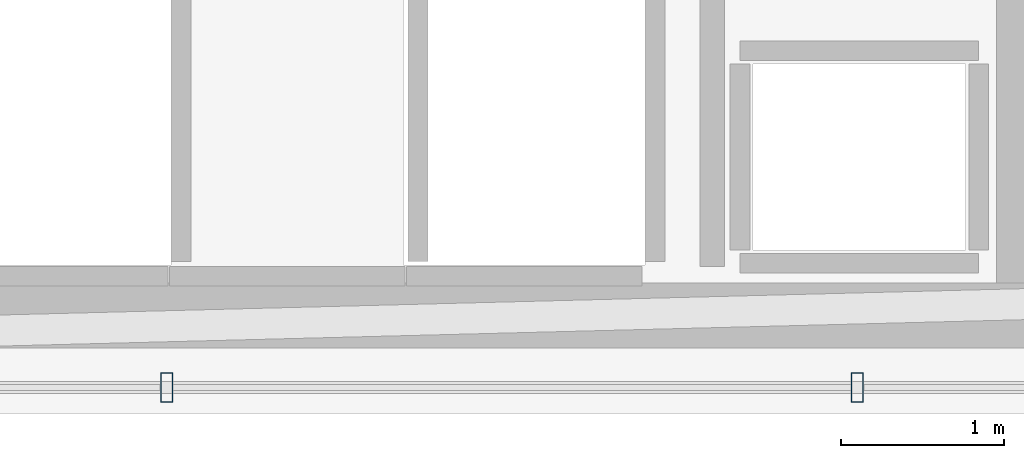
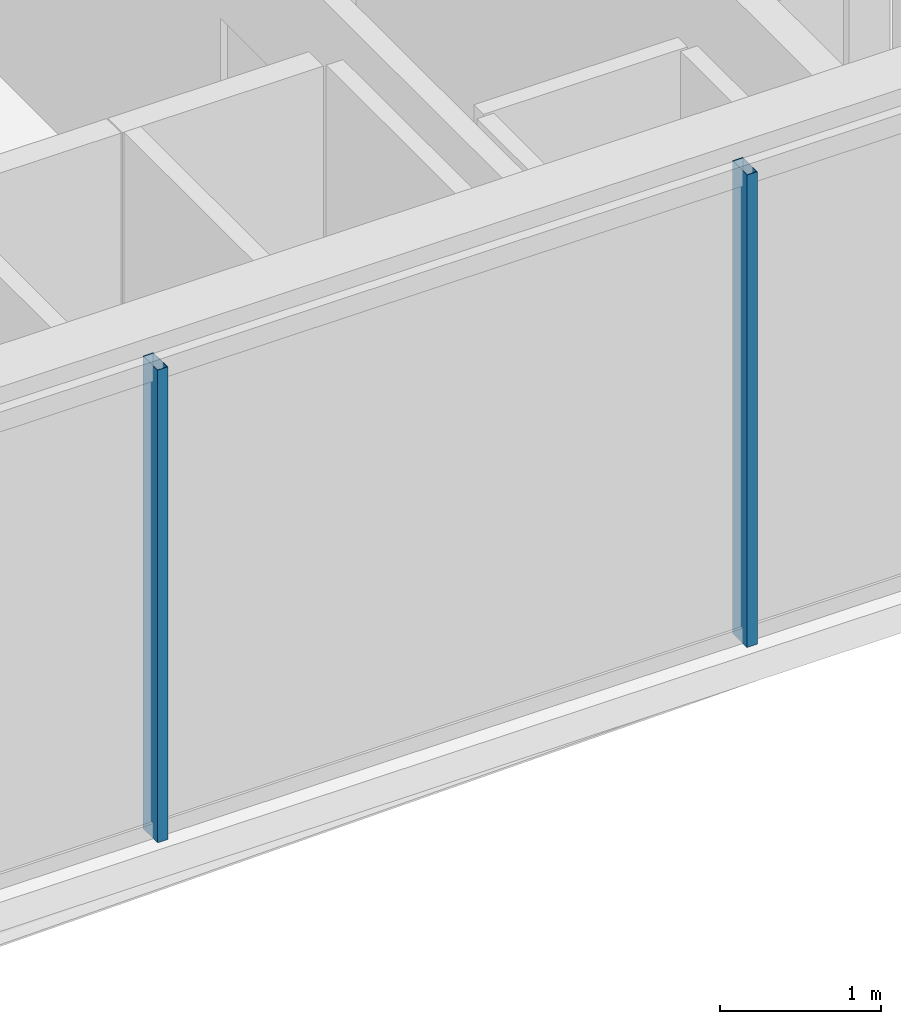
# One storey, part 8 of 33: 2 members, 1 element without a shape of its own.
"""IFC4 building model written with IfcOpenShell, lengths in metres."""

from ifc_helpers import new_model, si_unit, direction, frame, origin, origin_2d, place, context, subcontext, project, spatial, hollow_rectangle, extrude, material, layer, layer_set, material_profile, profile_set, type_object, element, aggregate, save


model = new_model("IFC4")

# Units and contexts
model_context = context("Model", 3, precision=1e-05, world=origin(), true_north=direction((0.0, 1.0)))
body_context = subcontext(model_context, "Body", "Model", "MODEL_VIEW")
ifc_project = project(units=[si_unit("LENGTHUNIT", "METRE"), si_unit("AREAUNIT", "SQUARE_METRE"), si_unit("VOLUMEUNIT", "CUBIC_METRE"), si_unit("PLANEANGLEUNIT", "RADIAN"), si_unit("MASSUNIT", "GRAM", prefix="KILO")], contexts=[model_context])

# Site, building, storey
site_placement = place(None, origin())
site = spatial("IfcSite", under=ifc_project, at=site_placement, CompositionType="ELEMENT")
building_placement = place(site_placement, origin())
building = spatial("IfcBuilding", under=site, at=building_placement, Name="Ndaravel Arena Tower", CompositionType="ELEMENT")
storey_placement = place(building_placement, frame((0.0, 0.0, 184.0)))
storey = spatial("IfcBuildingStorey", under=building, at=storey_placement, Name="L44", CompositionType="ELEMENT", Elevation=184.0)

# Curtain wall, members
ifc_material_1 = material(Name="Aluminium", Category="aluminium")
ifc_layer = layer(ifc_material_1, 0.179931640625)
ifc_layer_set = layer_set([ifc_layer], Name="Aluminium")
curtain_wall_type = type_object("IfcCurtainWallType", Name="CW-SYS-03", PredefinedType="NOTDEFINED", material=ifc_layer_set)
curtain_wall_placement = place(storey_placement, origin())
curtain_wall = element("IfcCurtainWall", 1, at=curtain_wall_placement, inside=storey, type_object=curtain_wall_type, Name="L44 Faceted Crystal Curtain Wall CW-L44-E01", PredefinedType="NOTDEFINED")
ifc_material_2 = material(Name="Aluminium", Category="aluminium")
ifc_material_profile = material_profile(ifc_material_2, hollow_rectangle(XDim=0.074951171875, YDim=0.179931640625, WallThickness=0.00390625, at=origin_2d()), Name="CW MULLION 75x180x4")
ifc_profile_set = profile_set([ifc_material_profile], Name="Aluminium")
member_type = type_object("IfcMemberType", Name="MEM-CW-MUL180", PredefinedType="MULLION", material=ifc_profile_set)
member_1_placement = place(storey_placement, frame((44.11279296875, 5.159912109375, 0.0), z_axis=(0.0, 0.0, 1.0), x_axis=(1.0, 0.0, 0.0)))
member_1 = element("IfcMember", 2, at=member_1_placement, type_object=member_type, Name="CW-L44-E01 Mullion 05", PredefinedType="MULLION", context=body_context, shape_type="SweptSolid", body=[
    extrude(hollow_rectangle(XDim=0.074951171875, YDim=0.179931640625, WallThickness=0.00390625, at=origin_2d()), origin(), (0.0, 0.0, 1.0), 3.580078125),
])
member_2_placement = place(storey_placement, frame((48.337890625, 5.159912109375, 0.0), z_axis=(0.0, 0.0, 1.0), x_axis=(1.0, 0.0, 0.0)))
member_2 = element("IfcMember", 3, at=member_2_placement, type_object=member_type, Name="CW-L44-E01 Mullion 06", PredefinedType="MULLION", context=body_context, shape_type="SweptSolid", body=[
    extrude(hollow_rectangle(XDim=0.074951171875, YDim=0.179931640625, WallThickness=0.00390625, at=origin_2d()), origin(), (0.0, 0.0, 1.0), 3.580078125),
])
aggregate(curtain_wall, [member_1, member_2])

save(model, "model.ifc")
